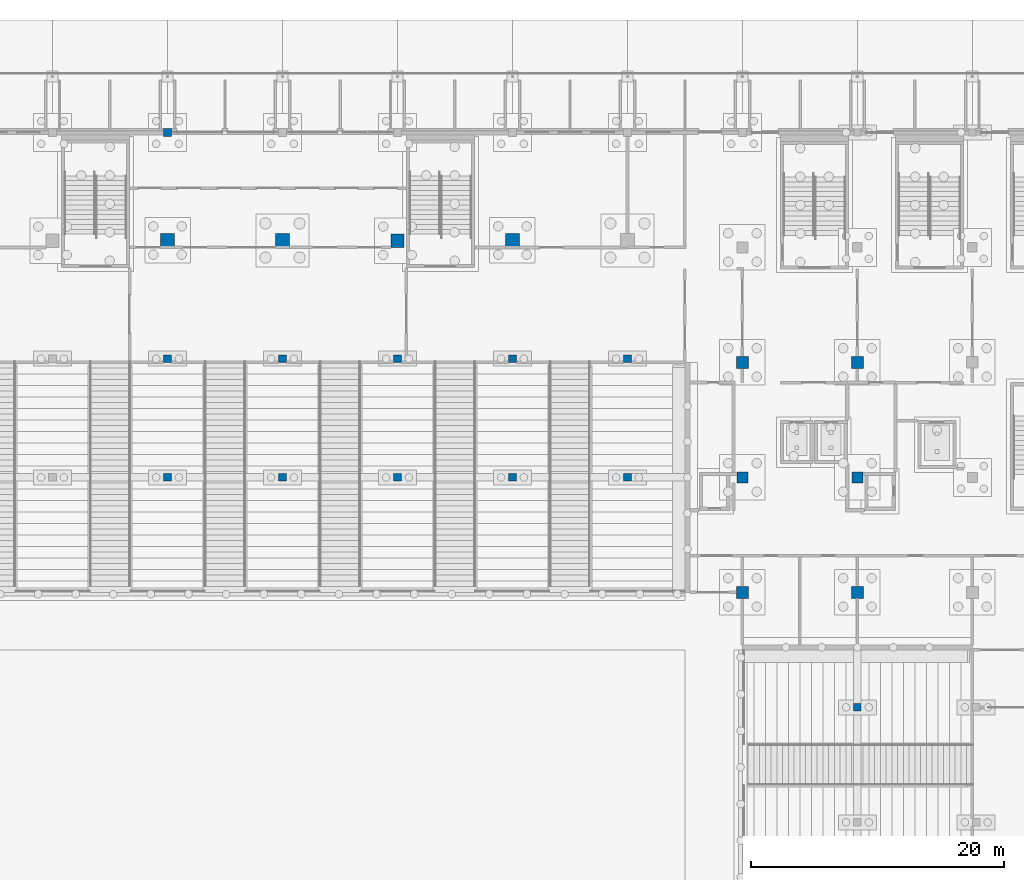
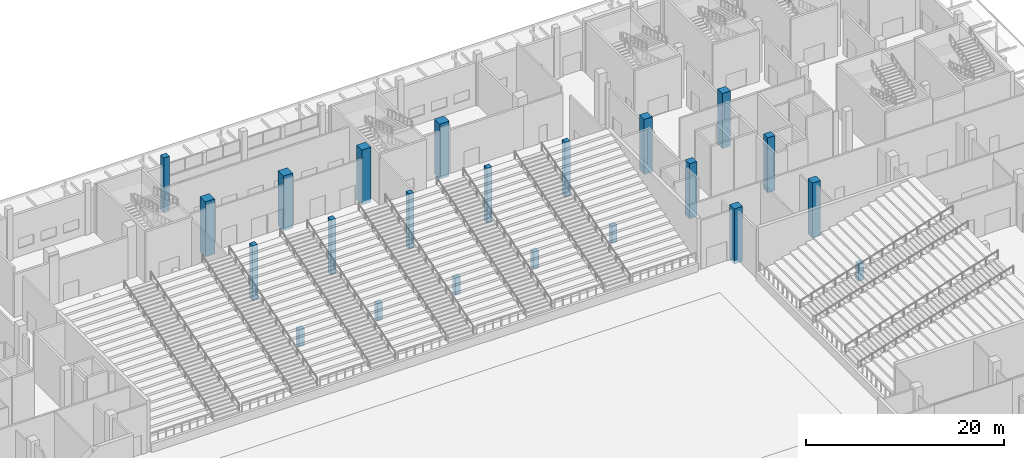
# One storey, part 31 of 129: 22 columns.
"""IFC4 building model written with IfcOpenShell, lengths in metres."""

from ifc_helpers import new_model, si_unit, direction, frame, origin, origin_2d, place, context, subcontext, project, spatial, rectangle, extrude, material, material_profile, profile_set, type_object, element, save


model = new_model("IFC4")

# Units and contexts
model_context = context("Model", 3, precision=1e-05, world=origin(), true_north=direction((0.0, 1.0)))
body_context = subcontext(model_context, "Body", "Model", "MODEL_VIEW")
ifc_project = project(units=[si_unit("LENGTHUNIT", "METRE"), si_unit("AREAUNIT", "SQUARE_METRE"), si_unit("VOLUMEUNIT", "CUBIC_METRE"), si_unit("PLANEANGLEUNIT", "RADIAN"), si_unit("MASSUNIT", "GRAM", prefix="KILO")], contexts=[model_context])

# Site, building, storey
site_placement = place(None, origin())
site = spatial("IfcSite", under=ifc_project, at=site_placement, CompositionType="ELEMENT")
building_placement = place(site_placement, origin())
building = spatial("IfcBuilding", under=site, at=building_placement, Name="Shirokan Park Arena", CompositionType="ELEMENT")
storey_placement = place(building_placement, origin())
storey = spatial("IfcBuildingStorey", under=building, at=storey_placement, Name="L00", CompositionType="ELEMENT", Elevation=0.0)

# Columns
ifc_material = material(Name="Concrete C35", Category="concrete")
ifc_material_profile_1 = material_profile(ifc_material, rectangle(XDim=1.050048828125, YDim=1.050048828125, at=origin_2d()), Name="1050x1050")
ifc_profile_set_1 = profile_set([ifc_material_profile_1], Name="Concrete C35")
column_type_1 = type_object("IfcColumnType", Name="RC column 1050x1050", PredefinedType="COLUMN", material=ifc_profile_set_1)
column_1_placement = place(storey_placement, frame((81.89990234375, 100.625, -0.39990234375), z_axis=(0.0, 0.0, 1.0), x_axis=(1.0, 0.0, 0.0)))
element("IfcColumn", 1, at=column_1_placement, inside=storey, type_object=column_type_1, Name="Column 10M L00", PredefinedType="COLUMN", context=body_context, shape_type="SweptSolid", body=[
    extrude(rectangle(XDim=1.050048828125, YDim=1.050048828125, at=origin_2d()), origin(), (0.0, 0.0, 1.0), 6.77001953125),
])
ifc_material_profile_2 = material_profile(ifc_material, rectangle(XDim=1.10009765625, YDim=1.10009765625, at=origin_2d()), Name="1100x1100")
ifc_profile_set_2 = profile_set([ifc_material_profile_2], Name="Concrete C35")
column_type_2 = type_object("IfcColumnType", Name="RC column 1100x1100", PredefinedType="COLUMN", material=ifc_profile_set_2)
for number, where, z_axis, x_axis, name in (
    (2, (63.699951171875, 100.64990234375, -0.39990234375), (0.0, 0.0, 1.0), (1.0, 0.0, 0.0), "Column 8M L00"),
    (3, (72.800048828125, 100.64990234375, -0.39990234375), (0.0, 0.0, 1.0), (1.0, 0.0, 0.0), "Column 9M L00"),
    (4, (91.0, 100.64990234375, -0.39990234375), (0.0, 0.0, 1.0), (1.0, 0.0, 0.0), "Column 11M L00"),
):
    element("IfcColumn", number, at=place(storey_placement, frame(where, z_axis=z_axis, x_axis=x_axis)), inside=storey, type_object=column_type_2, Name=name, PredefinedType="COLUMN", context=body_context, shape_type="SweptSolid", body=[
        extrude(rectangle(XDim=1.10009765625, YDim=1.10009765625, at=origin_2d()), origin(), (0.0, 0.0, 1.0), 6.77001953125),
    ])
ifc_material_profile_3 = material_profile(ifc_material, rectangle(XDim=0.60009765625, YDim=0.60009765625, at=origin_2d()), Name="600x600")
ifc_profile_set_3 = profile_set([ifc_material_profile_3], Name="Concrete C35")
column_type_3 = type_object("IfcColumnType", Name="RC column 600x600", PredefinedType="COLUMN", material=ifc_profile_set_3)
column_2_placement = place(storey_placement, frame((63.699951171875, 81.89990234375, -0.39990234375), z_axis=(0.0, 0.0, 1.0), x_axis=(1.0, 0.0, 0.0)))
element("IfcColumn", 5, at=column_2_placement, inside=storey, type_object=column_type_3, Name="Column 8K L00", PredefinedType="COLUMN", context=body_context, shape_type="SweptSolid", body=[
    extrude(rectangle(XDim=0.60009765625, YDim=0.60009765625, at=origin_2d()), origin(), (0.0, 0.0, 1.0), 2.1328125),
])
column_3_placement = place(storey_placement, frame((63.699951171875, 91.300048828125, -0.39990234375), z_axis=(0.0, 0.0, 1.0), x_axis=(1.0, 0.0, 0.0)))
element("IfcColumn", 6, at=column_3_placement, inside=storey, type_object=column_type_3, Name="Column 8L L00", PredefinedType="COLUMN", context=body_context, shape_type="SweptSolid", body=[
    extrude(rectangle(XDim=0.60009765625, YDim=0.60009765625, at=origin_2d()), origin(), (0.0, 0.0, 1.0), 6.77001953125),
])
column_4_placement = place(storey_placement, frame((72.800048828125, 81.89990234375, -0.39990234375), z_axis=(0.0, 0.0, 1.0), x_axis=(1.0, 0.0, 0.0)))
element("IfcColumn", 7, at=column_4_placement, inside=storey, type_object=column_type_3, Name="Column 9K L00", PredefinedType="COLUMN", context=body_context, shape_type="SweptSolid", body=[
    extrude(rectangle(XDim=0.60009765625, YDim=0.60009765625, at=origin_2d()), origin(), (0.0, 0.0, 1.0), 2.1328125),
])
column_5_placement = place(storey_placement, frame((72.800048828125, 91.300048828125, -0.39990234375), z_axis=(0.0, 0.0, 1.0), x_axis=(1.0, 0.0, 0.0)))
element("IfcColumn", 8, at=column_5_placement, inside=storey, type_object=column_type_3, Name="Column 9L L00", PredefinedType="COLUMN", context=body_context, shape_type="SweptSolid", body=[
    extrude(rectangle(XDim=0.60009765625, YDim=0.60009765625, at=origin_2d()), origin(), (0.0, 0.0, 1.0), 6.77001953125),
])
column_6_placement = place(storey_placement, frame((81.89990234375, 81.89990234375, -0.39990234375), z_axis=(0.0, 0.0, 1.0), x_axis=(1.0, 0.0, 0.0)))
element("IfcColumn", 9, at=column_6_placement, inside=storey, type_object=column_type_3, Name="Column 10K L00", PredefinedType="COLUMN", context=body_context, shape_type="SweptSolid", body=[
    extrude(rectangle(XDim=0.60009765625, YDim=0.60009765625, at=origin_2d()), origin(), (0.0, 0.0, 1.0), 2.1328125),
])
column_7_placement = place(storey_placement, frame((81.89990234375, 91.300048828125, -0.39990234375), z_axis=(0.0, 0.0, 1.0), x_axis=(1.0, 0.0, 0.0)))
element("IfcColumn", 10, at=column_7_placement, inside=storey, type_object=column_type_3, Name="Column 10L L00", PredefinedType="COLUMN", context=body_context, shape_type="SweptSolid", body=[
    extrude(rectangle(XDim=0.60009765625, YDim=0.60009765625, at=origin_2d()), origin(), (0.0, 0.0, 1.0), 6.77001953125),
])
column_8_placement = place(storey_placement, frame((91.0, 81.89990234375, -0.39990234375), z_axis=(0.0, 0.0, 1.0), x_axis=(1.0, 0.0, 0.0)))
element("IfcColumn", 11, at=column_8_placement, inside=storey, type_object=column_type_3, Name="Column 11K L00", PredefinedType="COLUMN", context=body_context, shape_type="SweptSolid", body=[
    extrude(rectangle(XDim=0.60009765625, YDim=0.60009765625, at=origin_2d()), origin(), (0.0, 0.0, 1.0), 2.1328125),
])
column_9_placement = place(storey_placement, frame((91.0, 91.300048828125, -0.39990234375), z_axis=(0.0, 0.0, 1.0), x_axis=(1.0, 0.0, 0.0)))
element("IfcColumn", 12, at=column_9_placement, inside=storey, type_object=column_type_3, Name="Column 11L L00", PredefinedType="COLUMN", context=body_context, shape_type="SweptSolid", body=[
    extrude(rectangle(XDim=0.60009765625, YDim=0.60009765625, at=origin_2d()), origin(), (0.0, 0.0, 1.0), 6.77001953125),
])
column_10_placement = place(storey_placement, frame((100.10009765625, 81.89990234375, -0.39990234375), z_axis=(0.0, 0.0, 1.0), x_axis=(1.0, 0.0, 0.0)))
element("IfcColumn", 13, at=column_10_placement, inside=storey, type_object=column_type_3, Name="Column 12K L00", PredefinedType="COLUMN", context=body_context, shape_type="SweptSolid", body=[
    extrude(rectangle(XDim=0.60009765625, YDim=0.60009765625, at=origin_2d()), origin(), (0.0, 0.0, 1.0), 2.1328125),
])
column_11_placement = place(storey_placement, frame((100.10009765625, 91.300048828125, -0.39990234375), z_axis=(0.0, 0.0, 1.0), x_axis=(1.0, 0.0, 0.0)))
element("IfcColumn", 14, at=column_11_placement, inside=storey, type_object=column_type_3, Name="Column 12L L00", PredefinedType="COLUMN", context=body_context, shape_type="SweptSolid", body=[
    extrude(rectangle(XDim=0.60009765625, YDim=0.60009765625, at=origin_2d()), origin(), (0.0, 0.0, 1.0), 6.77001953125),
])
column_12_placement = place(storey_placement, frame((118.300048828125, 63.699951171875, -0.39990234375), z_axis=(0.0, 0.0, 1.0), x_axis=(1.0, 0.0, 0.0)))
element("IfcColumn", 15, at=column_12_placement, inside=storey, type_object=column_type_3, Name="Column 14H L00", PredefinedType="COLUMN", context=body_context, shape_type="SweptSolid", body=[
    extrude(rectangle(XDim=0.60009765625, YDim=0.60009765625, at=origin_2d()), origin(), (0.0, 0.0, 1.0), 2.1328125),
])
ifc_material_profile_4 = material_profile(ifc_material, rectangle(XDim=0.64990234375, YDim=0.64990234375, at=origin_2d()), Name="650x650")
ifc_profile_set_4 = profile_set([ifc_material_profile_4], Name="Concrete C35")
column_type_4 = type_object("IfcColumnType", Name="RC column 650x650", PredefinedType="COLUMN", material=ifc_profile_set_4)
column_13_placement = place(storey_placement, frame((63.699951171875, 109.199951171875, -0.39990234375), z_axis=(0.0, 0.0, 1.0), x_axis=(1.0, 0.0, 0.0)))
element("IfcColumn", 16, at=column_13_placement, inside=storey, type_object=column_type_4, Name="Column 8N L00", PredefinedType="COLUMN", context=body_context, shape_type="SweptSolid", body=[
    extrude(rectangle(XDim=0.64990234375, YDim=0.64990234375, at=origin_2d()), origin(), (0.0, 0.0, 1.0), 6.77001953125),
])
ifc_material_profile_5 = material_profile(ifc_material, rectangle(XDim=0.85009765625, YDim=0.85009765625, at=origin_2d()), Name="850x850")
ifc_profile_set_5 = profile_set([ifc_material_profile_5], Name="Concrete C35")
column_type_5 = type_object("IfcColumnType", Name="RC column 850x850", PredefinedType="COLUMN", material=ifc_profile_set_5)
for number, where, z_axis, x_axis, name in (
    (17, (109.199951171875, 81.89990234375, -0.39990234375), (0.0, 0.0, 1.0), (1.0, 0.0, 0.0), "Column 13K L00"),
    (18, (118.300048828125, 81.89990234375, -0.39990234375), (0.0, 0.0, 1.0), (1.0, 0.0, 0.0), "Column 14K L00"),
):
    element("IfcColumn", number, at=place(storey_placement, frame(where, z_axis=z_axis, x_axis=x_axis)), inside=storey, type_object=column_type_5, Name=name, PredefinedType="COLUMN", context=body_context, shape_type="SweptSolid", body=[
        extrude(rectangle(XDim=0.85009765625, YDim=0.85009765625, at=origin_2d()), origin(), (0.0, 0.0, 1.0), 6.77001953125),
    ])
ifc_material_profile_6 = material_profile(ifc_material, rectangle(XDim=0.949951171875, YDim=0.949951171875, at=origin_2d()), Name="950x950")
ifc_profile_set_6 = profile_set([ifc_material_profile_6], Name="Concrete C35")
column_type_6 = type_object("IfcColumnType", Name="RC column 950x950", PredefinedType="COLUMN", material=ifc_profile_set_6)
for number, where, z_axis, x_axis, name in (
    (19, (109.199951171875, 72.800048828125, -0.39990234375), (0.0, 0.0, 1.0), (1.0, 0.0, 0.0), "Column 13J L00"),
    (20, (109.199951171875, 91.0, -0.39990234375), (0.0, 0.0, 1.0), (1.0, 0.0, 0.0), "Column 13L L00"),
    (21, (118.300048828125, 72.800048828125, -0.39990234375), (0.0, 0.0, 1.0), (1.0, 0.0, 0.0), "Column 14J L00"),
    (22, (118.300048828125, 91.0, -0.39990234375), (0.0, 0.0, 1.0), (1.0, 0.0, 0.0), "Column 14L L00"),
):
    element("IfcColumn", number, at=place(storey_placement, frame(where, z_axis=z_axis, x_axis=x_axis)), inside=storey, type_object=column_type_6, Name=name, PredefinedType="COLUMN", context=body_context, shape_type="SweptSolid", body=[
        extrude(rectangle(XDim=0.949951171875, YDim=0.949951171875, at=origin_2d()), origin(), (0.0, 0.0, 1.0), 6.77001953125),
    ])

save(model, "model.ifc")
